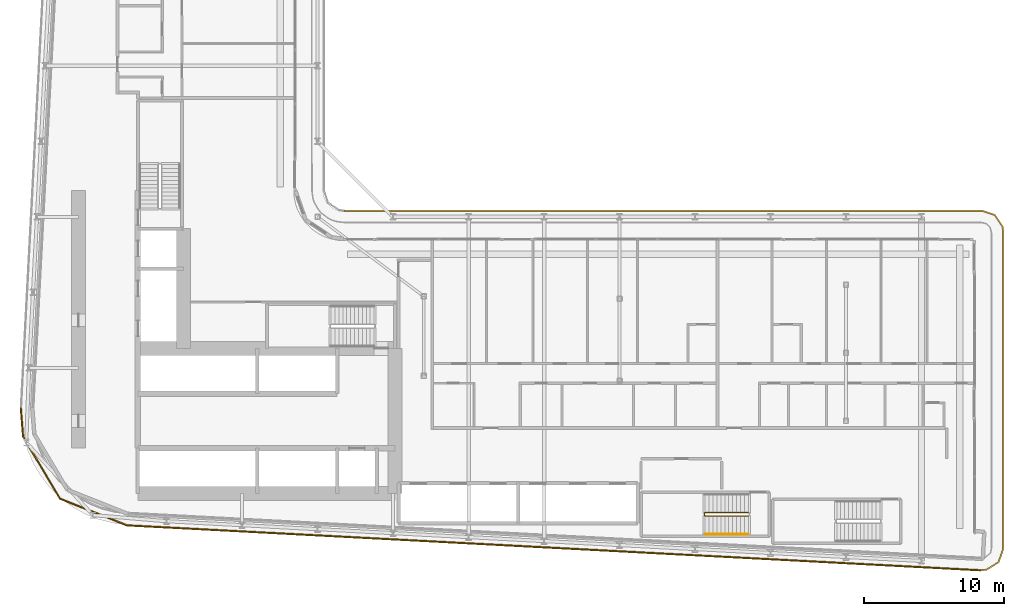
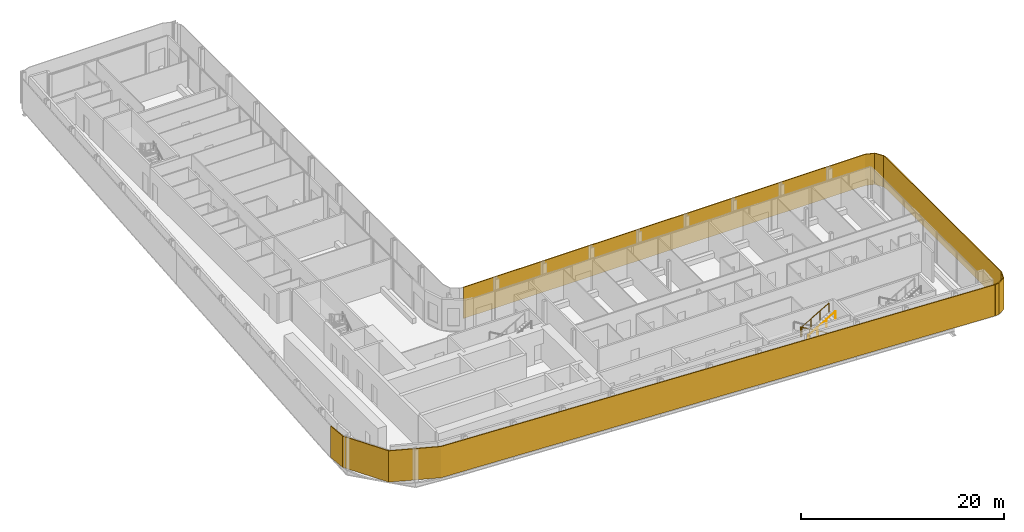
# One storey, part 23 of 27: 2 railings, 2 shading devices.
"""IFC4 building model written with IfcOpenShell, lengths in metres."""

from ifc_helpers import new_model, si_unit, direction, frame, origin, origin_2d, place, context, subcontext, project, spatial, polyline, circle, outline, extrude, material, layer, layer_set, type_object, element, save


model = new_model("IFC4")

# Units and contexts
model_context = context("Model", 3, precision=1e-05, world=origin(), true_north=direction((0.0, 1.0)))
body_context = subcontext(model_context, "Body", "Model", "MODEL_VIEW")
ifc_project = project(units=[si_unit("LENGTHUNIT", "METRE"), si_unit("AREAUNIT", "SQUARE_METRE"), si_unit("VOLUMEUNIT", "CUBIC_METRE"), si_unit("PLANEANGLEUNIT", "RADIAN"), si_unit("MASSUNIT", "GRAM", prefix="KILO")], contexts=[model_context])

# Site, building, storey
site_placement = place(None, origin())
site = spatial("IfcSite", under=ifc_project, at=site_placement, CompositionType="ELEMENT")
building_placement = place(site_placement, origin())
building = spatial("IfcBuilding", under=site, at=building_placement, Name="Kheshtan School and Residences Tower", CompositionType="ELEMENT")
storey_placement = place(building_placement, frame((0.0, 0.0, 50.0)))
storey = spatial("IfcBuildingStorey", under=building, at=storey_placement, Name="L11", CompositionType="ELEMENT", Elevation=50.0)

# Shading devices
ifc_material_1 = material(Name="Terracotta baguette, extruded ceramic", Category="masonry")
ifc_layer_1 = layer(ifc_material_1, 0.10009765625)
ifc_layer_set_1 = layer_set([ifc_layer_1], Name="Ledge screen, terracotta baguettes")
shading_device_type_1 = type_object("IfcShadingDeviceType", Name="Ledge screen, terracotta baguettes", PredefinedType="USERDEFINED", material=ifc_layer_set_1)
shading_device_1_placement = place(storey_placement, origin())
element("IfcShadingDevice", 1, at=shading_device_1_placement, inside=storey, type_object=shading_device_type_1, Name="Screen L11 3", ObjectType="BAGUETTE", PredefinedType="USERDEFINED", context=body_context, shape_type="SweptSolid", body=[
    extrude(outline(polyline([(95.02099609375, 20.366943359375), (33.989013671875, 23.580078125), (29.2119140625, 25.486083984375), (26.583984375, 29.906982421875), (26.419921875, 31.989013671875), (26.320068359375, 31.98095703125), (26.486083984375, 29.8759765625), (29.14306640625, 25.406005859375), (33.967041015625, 23.48095703125), (95.01611328125, 20.26708984375), (95.02099609375, 20.366943359375)])), origin(), (0.0, 0.0, 1.0), 3.75),
])
ifc_material_2 = material(Name="Terracotta lattice, extruded ceramic", Category="masonry")
ifc_layer_2 = layer(ifc_material_2, 0.10009765625)
ifc_layer_set_2 = layer_set([ifc_layer_2], Name="Loggia screen, terracotta lattice")
shading_device_type_2 = type_object("IfcShadingDeviceType", Name="Loggia screen, terracotta lattice", PredefinedType="USERDEFINED", material=ifc_layer_set_2)
shading_device_2_placement = place(storey_placement, origin())
element("IfcShadingDevice", 2, at=shading_device_2_placement, inside=storey, type_object=shading_device_type_2, Name="Screen L11 2", ObjectType="SCREEN", PredefinedType="USERDEFINED", context=body_context, shape_type="SweptSolid", body=[
    extrude(outline(polyline([(49.5, 46.0), (95.10009765625, 46.0), (96.012939453125, 45.68994140625), (96.549072265625, 44.887939453125), (96.60009765625, 44.5), (96.60009765625, 21.864990234375), (96.27001953125, 20.926025390625), (95.424072265625, 20.40087890625), (95.02099609375, 20.366943359375), (95.029052734375, 20.26708984375), (95.4560546875, 20.302978515625), (96.35302734375, 20.860107421875), (96.699951171875, 21.847900390625), (96.699951171875, 44.507080078125), (96.64501953125, 44.924072265625), (96.076904296875, 45.77392578125), (95.116943359375, 46.10009765625), (49.5, 46.10009765625), (49.5, 46.0)])), origin(), (0.0, 0.0, 1.0), 3.75),
])

# Railings
ifc_material_3 = material(Name="Stainless steel balustrade", Category="steel")
railing_type_1 = type_object("IfcRailingType", Name="Stair guard 1100", PredefinedType="GUARDRAIL", material=ifc_material_3)
railing_1_placement = place(storey_placement, frame((78.409912109375, 24.449951171875, 0.16259765625)))
element("IfcRailing", 3, at=railing_1_placement, inside=storey, type_object=railing_type_1, Name="L11 ST5 stair guard 1", PredefinedType="GUARDRAIL", context=body_context, shape_type="SweptSolid", body=[
    extrude(circle(Radius=0.02392578125, at=origin_2d()), frame((0.0, 0.0, 1.076171875), z_axis=(-0.864903211148, 0.0, 0.501938676878), x_axis=(0.0, -1.0, 0.0)), (0.0, 0.0, 1.0), 3.560791015625),
    extrude(circle(Radius=0.02392578125, at=origin_2d()), frame((-3.079833984375, 0.0, 2.86328125), z_axis=(-0.707106781187, -0.707106781187, 0.0), x_axis=(0.707106781187, -0.707106781187, 0.0)), (0.0, 0.0, 1.0), 0.07080078125),
    extrude(circle(Radius=0.02392578125, at=origin_2d()), frame((-3.1298828125, -0.050048828125, 2.86328125), z_axis=(0.0, -1.0, 0.0), x_axis=(1.0, 0.0, 0.0)), (0.0, 0.0, 1.0), 0.14990234375),
    extrude(circle(Radius=0.02392578125, at=origin_2d()), frame((-3.1298828125, -0.199951171875, 2.86328125), z_axis=(0.282227285176, -0.282227285176, 0.916894497205), x_axis=(0.707106781187, 0.707106781187, 0.0)), (0.0, 0.0, 1.0), 0.17724609375),
    extrude(circle(Radius=0.02392578125, at=origin_2d()), frame((-3.079833984375, -0.25, 3.02587890625), z_axis=(0.864903211148, 0.0, 0.501938676878), x_axis=(0.0, 1.0, 0.0)), (0.0, 0.0, 1.0), 3.560791015625),
    extrude(circle(Radius=0.02099609375, at=origin_2d()), origin(), (0.0, 0.0, 1.0), 1.052001953125),
    extrude(circle(Radius=0.02099609375, at=origin_2d()), frame((-1.026611328125, 0.0, 0.595703125)), (0.0, 0.0, 1.0), 1.052001953125),
    extrude(circle(Radius=0.02099609375, at=origin_2d()), frame((-2.05322265625, 0.0, 1.191650390625)), (0.0, 0.0, 1.0), 1.052001953125),
    extrude(circle(Radius=0.02099609375, at=origin_2d()), frame((-3.079833984375, 0.0, 1.787353515625)), (0.0, 0.0, 1.0), 1.052001953125),
    extrude(circle(Radius=0.02099609375, at=origin_2d()), frame((-3.1298828125, -0.050048828125, 1.787353515625)), (0.0, 0.0, 1.0), 1.052001953125),
    extrude(circle(Radius=0.02099609375, at=origin_2d()), frame((-3.1298828125, -0.199951171875, 1.787353515625)), (0.0, 0.0, 1.0), 1.052001953125),
    extrude(circle(Radius=0.02099609375, at=origin_2d()), frame((-3.079833984375, -0.25, 1.949951171875)), (0.0, 0.0, 1.0), 1.052001953125),
    extrude(circle(Radius=0.02099609375, at=origin_2d()), frame((-2.05322265625, -0.25, 2.545654296875)), (0.0, 0.0, 1.0), 1.052001953125),
    extrude(circle(Radius=0.02099609375, at=origin_2d()), frame((-1.026611328125, -0.25, 3.1416015625)), (0.0, 0.0, 1.0), 1.052001953125),
    extrude(circle(Radius=0.02099609375, at=origin_2d()), frame((0.0, -0.25, 3.7373046875)), (0.0, 0.0, 1.0), 1.052001953125),
])
ifc_material_4 = material(Name="Stainless steel handrail", Category="steel")
railing_type_2 = type_object("IfcRailingType", Name="Stair handrail 900", PredefinedType="HANDRAIL", material=ifc_material_4)
railing_2_placement = place(storey_placement, frame((75.330078125, 22.89990234375, 2.112548828125)))
element("IfcRailing", 4, at=railing_2_placement, inside=storey, type_object=railing_type_2, Name="L11 ST5 stair handrail 2", PredefinedType="HANDRAIL", context=body_context, shape_type="SweptSolid", body=[
    extrude(circle(Radius=0.02392578125, at=origin_2d()), frame((0.0, 0.0, 0.8759765625), z_axis=(0.864903211148, 0.0, 0.501938676878), x_axis=(0.0, 1.0, 0.0)), (0.0, 0.0, 1.0), 3.560791015625),
    extrude(circle(Radius=0.02099609375, at=origin_2d()), origin(), (0.0, 0.0, 1.0), 0.851806640625),
    extrude(circle(Radius=0.02099609375, at=origin_2d()), frame((1.026611328125, 0.0, 0.595703125)), (0.0, 0.0, 1.0), 0.851806640625),
    extrude(circle(Radius=0.02099609375, at=origin_2d()), frame((2.05322265625, 0.0, 1.191650390625)), (0.0, 0.0, 1.0), 0.851806640625),
    extrude(circle(Radius=0.02099609375, at=origin_2d()), frame((3.079833984375, 0.0, 1.787353515625)), (0.0, 0.0, 1.0), 0.851806640625),
])

save(model, "model.ifc")
